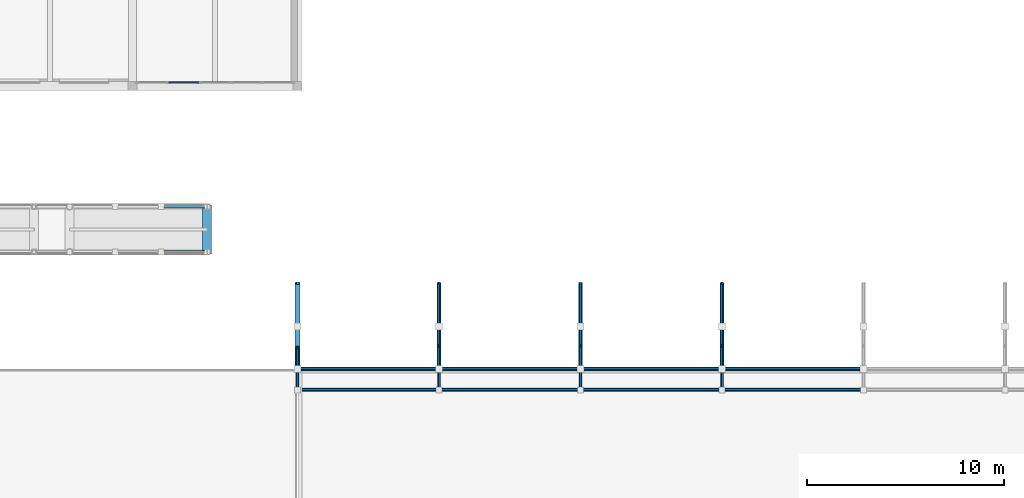
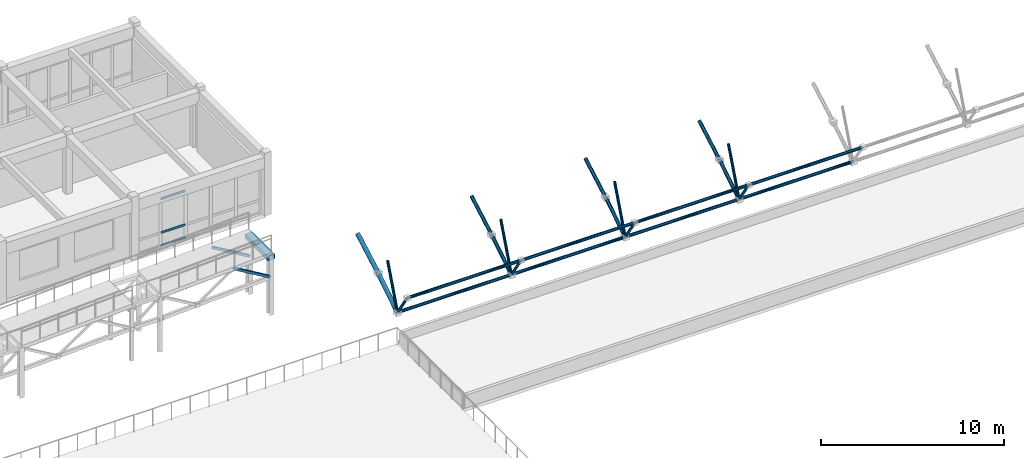
# One storey, part 53 of 90: 29 members, 1 beam, 1 element without a shape of its own.
"""IFC4 building model written with IfcOpenShell, lengths in metres."""

from ifc_helpers import new_model, si_unit, direction, frame, origin, origin_2d, place, context, subcontext, project, spatial, rectangle, hollow_rectangle, hollow_circle, extrude, material, material_profile, profile_set, type_object, element, aggregate, save


model = new_model("IFC4")

# Units and contexts
model_context = context("Model", 3, precision=1e-05, world=origin(), true_north=direction((0.0, 1.0)))
body_context = subcontext(model_context, "Body", "Model", "MODEL_VIEW")
ifc_project = project(units=[si_unit("LENGTHUNIT", "METRE"), si_unit("AREAUNIT", "SQUARE_METRE"), si_unit("VOLUMEUNIT", "CUBIC_METRE"), si_unit("PLANEANGLEUNIT", "RADIAN"), si_unit("MASSUNIT", "GRAM", prefix="KILO")], contexts=[model_context])

# Site, building, storey
site_placement = place(None, origin())
site = spatial("IfcSite", under=ifc_project, at=site_placement, CompositionType="ELEMENT")
building_placement = place(site_placement, origin())
building = spatial("IfcBuilding", under=site, at=building_placement, Name="Malvenik Polytechnic", CompositionType="ELEMENT")
storey_placement = place(building_placement, frame((0.0, 0.0, 9.300048828125)))
storey = spatial("IfcBuildingStorey", under=building, at=storey_placement, Name="L02", CompositionType="ELEMENT", Elevation=9.300048828125)

# Curtain wall, members
ifc_material_1 = material(Name="Anodised aluminium 6060-T6", Category="aluminium")
curtain_wall_type = type_object("IfcCurtainWallType", Name="ARC-CW-CW-03", PredefinedType="NOTDEFINED", material=ifc_material_1)
curtain_wall_placement = place(storey_placement, origin())
curtain_wall = element("IfcCurtainWall", 1, at=curtain_wall_placement, inside=storey, type_object=curtain_wall_type, Name="Unitised Curtain Wall CW-03 L02 #144", PredefinedType="NOTDEFINED")
ifc_material_2 = material(Name="Anodised aluminium", Category="aluminium")
ifc_material_profile_1 = material_profile(ifc_material_2, rectangle(XDim=0.06005859375, YDim=0.139892578125, at=origin_2d()), Name="ALU TRANSOM 60x140")
ifc_profile_set_1 = profile_set([ifc_material_profile_1], Name="Anodised aluminium")
member_type_1 = type_object("IfcMemberType", Name="ARC-CWT-140", PredefinedType="USERDEFINED", material=ifc_profile_set_1)
member_1_placement = place(storey_placement, frame((129.37451171875, 50.570068359375, 0.030029296875), z_axis=(-1.0, 0.0, 0.0), x_axis=(0.0, -1.0, 0.0)))
member_1 = element("IfcMember", 2, at=member_1_placement, type_object=member_type_1, Name="CW-03 transom 4.1", ObjectType="TRANSOM", PredefinedType="USERDEFINED", context=body_context, shape_type="SweptSolid", body=[
    extrude(rectangle(XDim=0.06005859375, YDim=0.139892578125, at=origin_2d()), origin(), (0.0, 0.0, 1.0), 1.53076171875),
])
member_2_placement = place(storey_placement, frame((129.37451171875, 50.570068359375, 0.89990234375), z_axis=(-1.0, 0.0, 0.0), x_axis=(0.0, -1.0, 0.0)))
member_2 = element("IfcMember", 3, at=member_2_placement, type_object=member_type_1, Name="CW-03 transom 4.2", ObjectType="TRANSOM", PredefinedType="USERDEFINED", context=body_context, shape_type="SweptSolid", body=[
    extrude(rectangle(XDim=0.06005859375, YDim=0.139892578125, at=origin_2d()), origin(), (0.0, 0.0, 1.0), 1.53076171875),
])
member_3_placement = place(storey_placement, frame((129.37451171875, 50.570068359375, 3.14990234375), z_axis=(-1.0, 0.0, 0.0), x_axis=(0.0, -1.0, 0.0)))
member_3 = element("IfcMember", 4, at=member_3_placement, type_object=member_type_1, Name="CW-03 transom 4.3", ObjectType="TRANSOM", PredefinedType="USERDEFINED", context=body_context, shape_type="SweptSolid", body=[
    extrude(rectangle(XDim=0.06005859375, YDim=0.139892578125, at=origin_2d()), origin(), (0.0, 0.0, 1.0), 1.53076171875),
])
aggregate(curtain_wall, [member_1, member_2, member_3])

# Beam
ifc_material_3 = material(Name="Steel S355J2H", Category="steel")
ifc_material_profile_2 = material_profile(ifc_material_3, hollow_rectangle(XDim=0.449951171875, YDim=0.300048828125, WallThickness=0.012451171875, at=origin_2d()), Name="RHS 450x300x12.5")
ifc_profile_set_2 = profile_set([ifc_material_profile_2], Name="Steel S355J2H")
beam_type = type_object("IfcBeamType", Name="STR-BM-SB-07", PredefinedType="BEAM", material=ifc_profile_set_2)
beam_placement = place(storey_placement, frame((129.800048828125, 41.85009765625, 3.822021484375), z_axis=(0.0, 1.0, 0.0), x_axis=(-1.0, 0.0, 0.0)))
element("IfcBeam", 5, at=beam_placement, inside=storey, type_object=beam_type, Name="Ramp Joint Transom RB-01 #23", PredefinedType="BEAM", context=body_context, shape_type="SweptSolid", body=[
    extrude(hollow_rectangle(XDim=0.449951171875, YDim=0.300048828125, WallThickness=0.012451171875, at=origin_2d()), origin(), (0.0, 0.0, 1.0), 2.5),
])

# Members
ifc_material_profile_3 = material_profile(ifc_material_3, hollow_circle(Radius=0.136474609375, WallThickness=0.010009765625, at=origin_2d()), Name="CHS 273.0x10.0")
ifc_profile_set_3 = profile_set([ifc_material_profile_3], Name="Steel S355J2H")
member_type_2 = type_object("IfcMemberType", Name="STR-MEM-SFB-01", PredefinedType="CHORD", material=ifc_profile_set_3)
for number, where, z_axis, x_axis, name in (
    (6, (134.39990234375, 36.00341796875, 2.10205078125), (0.0, 0.845870822629, 0.533387805845), (-1.0, 0.0, 0.0), "Space-Frame Tube SFB-01 STR-SF-BC-0001"),
    (7, (134.39990234375, 38.15478515625, 3.458251953125), (0.0, 0.870991146737, 0.491298709856), (-1.0, 0.0, 0.0), "Space-Frame Tube SFB-01 STR-SF-BC-0003"),
):
    element("IfcMember", number, at=place(storey_placement, frame(where, z_axis=z_axis, x_axis=x_axis)), inside=storey, type_object=member_type_2, Name=name, PredefinedType="CHORD", context=body_context, shape_type="SweptSolid", body=[
        extrude(hollow_circle(Radius=0.136474609375, WallThickness=0.010009765625, at=origin_2d()), origin(), (0.0, 0.0, 1.0), 2.535400390625),
    ])
ifc_material_profile_4 = material_profile(ifc_material_3, hollow_circle(Radius=0.109619140625, WallThickness=0.010009765625, at=origin_2d()), Name="CHS 219.1x10.0")
ifc_profile_set_4 = profile_set([ifc_material_profile_4], Name="Steel S355J2H")
member_type_3 = type_object("IfcMemberType", Name="STR-MEM-SFB-02", PredefinedType="CHORD", material=ifc_profile_set_4)
for number, where, z_axis, x_axis, name in (
    (8, (141.60009765625, 36.00341796875, 2.10205078125), (0.0, 0.845870822629, 0.533387805845), (-1.0, 0.0, 0.0), "Space-Frame Tube SFB-02 STR-SF-BC-0098"),
    (9, (141.60009765625, 38.15478515625, 3.458251953125), (0.0, 0.870991146737, 0.491298709856), (-1.0, 0.0, 0.0), "Space-Frame Tube SFB-02 STR-SF-BC-0100"),
    (10, (156.0, 36.00341796875, 2.10205078125), (0.0, 0.845870822629, 0.533387805845), (-1.0, 0.0, 0.0), "Space-Frame Tube SFB-02 STR-SF-BC-0292"),
    (11, (156.0, 38.15478515625, 3.458251953125), (0.0, 0.870991146737, 0.491298709856), (-1.0, 0.0, 0.0), "Space-Frame Tube SFB-02 STR-SF-BC-0294"),
):
    element("IfcMember", number, at=place(storey_placement, frame(where, z_axis=z_axis, x_axis=x_axis)), inside=storey, type_object=member_type_3, Name=name, PredefinedType="CHORD", context=body_context, shape_type="SweptSolid", body=[
        extrude(hollow_circle(Radius=0.109619140625, WallThickness=0.010009765625, at=origin_2d()), origin(), (0.0, 0.0, 1.0), 2.535400390625),
    ])
ifc_material_profile_5 = material_profile(ifc_material_3, hollow_circle(Radius=0.109619140625, WallThickness=0.008056640625, at=origin_2d()), Name="CHS 219.1x8.0")
ifc_profile_set_5 = profile_set([ifc_material_profile_5], Name="Steel S355J2H")
member_type_4 = type_object("IfcMemberType", Name="STR-MEM-SFB-03", PredefinedType="CHORD", material=ifc_profile_set_5)
for number, where, z_axis, x_axis, name in (
    (12, (148.800048828125, 36.00341796875, 2.10205078125), (0.0, 0.845870822629, 0.533387805845), (-1.0, 0.0, 0.0), "Space-Frame Tube SFB-03 STR-SF-BC-0195"),
    (13, (148.800048828125, 38.15478515625, 3.458251953125), (0.0, 0.870991146737, 0.491298709856), (-1.0, 0.0, 0.0), "Space-Frame Tube SFB-03 STR-SF-BC-0197"),
):
    element("IfcMember", number, at=place(storey_placement, frame(where, z_axis=z_axis, x_axis=x_axis)), inside=storey, type_object=member_type_4, Name=name, PredefinedType="CHORD", context=body_context, shape_type="SweptSolid", body=[
        extrude(hollow_circle(Radius=0.109619140625, WallThickness=0.008056640625, at=origin_2d()), origin(), (0.0, 0.0, 1.0), 2.535400390625),
    ])
ifc_material_profile_6 = material_profile(ifc_material_3, hollow_circle(Radius=0.084228515625, WallThickness=0.008056640625, at=origin_2d()), Name="CHS 168.3x8.0")
ifc_profile_set_6 = profile_set([ifc_material_profile_6], Name="Steel S355J2H")
member_type_5 = type_object("IfcMemberType", Name="STR-MEM-SFD-01", PredefinedType="BRACE", material=ifc_profile_set_6)
for number, where, z_axis, x_axis, name in (
    (14, (134.39990234375, 35.997802734375, 2.103271484375), (0.0, -0.553847636022, 0.832618037321), (1.0, 0.0, 0.0), "Space-Frame Tube SFD-01 STR-SF-WB-0049"),
    (15, (141.60009765625, 35.997802734375, 2.103271484375), (0.0, -0.553847636022, 0.832618037321), (1.0, 0.0, 0.0), "Space-Frame Tube SFD-01 STR-SF-WB-0146"),
    (16, (148.800048828125, 35.997802734375, 2.103271484375), (0.0, -0.553847636022, 0.832618037321), (1.0, 0.0, 0.0), "Space-Frame Tube SFD-01 STR-SF-WB-0243"),
    (17, (156.0, 35.997802734375, 2.103271484375), (0.0, -0.553847636022, 0.832618037321), (1.0, 0.0, 0.0), "Space-Frame Tube SFD-01 STR-SF-WB-0340"),
):
    element("IfcMember", number, at=place(storey_placement, frame(where, z_axis=z_axis, x_axis=x_axis)), inside=storey, type_object=member_type_5, Name=name, PredefinedType="BRACE", context=body_context, shape_type="SweptSolid", body=[
        extrude(hollow_circle(Radius=0.084228515625, WallThickness=0.008056640625, at=origin_2d()), origin(), (0.0, 0.0, 1.0), 1.9169921875),
    ])
ifc_material_profile_7 = material_profile(ifc_material_3, hollow_circle(Radius=0.084228515625, WallThickness=0.00634765625, at=origin_2d()), Name="CHS 168.3x6.3")
ifc_profile_set_7 = profile_set([ifc_material_profile_7], Name="Steel S355J2H")
member_type_6 = type_object("IfcMemberType", Name="STR-MEM-SFD-02", PredefinedType="BRACE", material=ifc_profile_set_7)
member_4_placement = place(storey_placement, frame((134.39990234375, 36.079345703125, 2.30517578125), z_axis=(0.0, 0.361021137141, 0.932557632824), x_axis=(-1.0, 0.0, 0.0)))
element("IfcMember", 18, at=member_4_placement, inside=storey, type_object=member_type_6, Name="Space-Frame Tube SFD-02 STR-SF-AD-0074", PredefinedType="BRACE", context=body_context, shape_type="SweptSolid", body=[
    extrude(hollow_circle(Radius=0.084228515625, WallThickness=0.00634765625, at=origin_2d()), origin(), (0.0, 0.0, 1.0), 2.786865234375),
])
for number, where, z_axis, x_axis, name in (
    (19, (141.60009765625, 36.00146484375, 2.103759765625), (0.0, 0.361011124202, 0.932561509072), (-1.0, 0.0, 0.0), "Space-Frame Tube SFD-02 STR-SF-AD-0171"),
    (20, (148.800048828125, 36.00146484375, 2.103759765625), (0.0, 0.361011124202, 0.932561509072), (-1.0, 0.0, 0.0), "Space-Frame Tube SFD-02 STR-SF-AD-0268"),
    (21, (156.0, 36.00146484375, 2.103759765625), (0.0, 0.361011124202, 0.932561509072), (-1.0, 0.0, 0.0), "Space-Frame Tube SFD-02 STR-SF-AD-0365"),
):
    element("IfcMember", number, at=place(storey_placement, frame(where, z_axis=z_axis, x_axis=x_axis)), inside=storey, type_object=member_type_6, Name=name, PredefinedType="BRACE", context=body_context, shape_type="SweptSolid", body=[
        extrude(hollow_circle(Radius=0.084228515625, WallThickness=0.00634765625, at=origin_2d()), origin(), (0.0, 0.0, 1.0), 3.218994140625),
    ])
ifc_material_profile_8 = material_profile(ifc_material_3, hollow_circle(Radius=0.096923828125, WallThickness=0.008056640625, at=origin_2d()), Name="CHS 193.7x8.0")
ifc_profile_set_8 = profile_set([ifc_material_profile_8], Name="Steel S355J2H")
member_type_7 = type_object("IfcMemberType", Name="STR-MEM-SFL-01", PredefinedType="CHORD", material=ifc_profile_set_8)
for number, where, z_axis, x_axis, name in (
    (22, (134.404052734375, 36.0, 2.099853515625), (1.0, 0.0, 0.0), (0.0, 1.0, 0.0), "Space-Frame Tube SFL-01 STR-SF-LB-0777"),
    (23, (134.404052734375, 34.933837890625, 3.70263671875), (1.0, 0.0, 0.0), (0.0, 1.0, 0.0), "Space-Frame Tube SFL-01 STR-SF-LT-0778"),
    (24, (141.60400390625, 36.0, 2.099853515625), (1.0, 0.0, 0.0), (0.0, 1.0, 0.0), "Space-Frame Tube SFL-01 STR-SF-LB-0819"),
    (25, (141.60400390625, 34.933837890625, 3.70263671875), (1.0, 0.0, 0.0), (0.0, 1.0, 0.0), "Space-Frame Tube SFL-01 STR-SF-LT-0820"),
):
    element("IfcMember", number, at=place(storey_placement, frame(where, z_axis=z_axis, x_axis=x_axis)), inside=storey, type_object=member_type_7, Name=name, PredefinedType="CHORD", context=body_context, shape_type="SweptSolid", body=[
        extrude(hollow_circle(Radius=0.096923828125, WallThickness=0.008056640625, at=origin_2d()), origin(), (0.0, 0.0, 1.0), 7.19189453125),
    ])
for number, where, z_axis, x_axis, name in (
    (26, (148.803955078125, 36.0, 2.099853515625), (1.0, 0.0, 0.0), (0.0, 1.0, 0.0), "Space-Frame Tube SFL-01 STR-SF-LB-0861"),
    (27, (148.803955078125, 34.933837890625, 3.70263671875), (1.0, 0.0, 0.0), (0.0, 1.0, 0.0), "Space-Frame Tube SFL-01 STR-SF-LT-0862"),
    (28, (156.00390625, 36.0, 2.099853515625), (1.0, 0.0, 0.0), (0.0, 1.0, 0.0), "Space-Frame Tube SFL-01 STR-SF-LB-0903"),
    (29, (156.00390625, 34.933837890625, 3.70263671875), (1.0, 0.0, 0.0), (0.0, 1.0, 0.0), "Space-Frame Tube SFL-01 STR-SF-LT-0904"),
):
    element("IfcMember", number, at=place(storey_placement, frame(where, z_axis=z_axis, x_axis=x_axis)), inside=storey, type_object=member_type_7, Name=name, PredefinedType="CHORD", context=body_context, shape_type="SweptSolid", body=[
        extrude(hollow_circle(Radius=0.096923828125, WallThickness=0.008056640625, at=origin_2d()), origin(), (0.0, 0.0, 1.0), 7.192138671875),
    ])
ifc_material_profile_9 = material_profile(ifc_material_3, hollow_rectangle(XDim=0.14990234375, YDim=0.14990234375, WallThickness=0.008056640625, at=origin_2d()), Name="SHS 150x150x8.0")
ifc_profile_set_9 = profile_set([ifc_material_profile_9], Name="Steel S355J2H")
member_type_8 = type_object("IfcMemberType", Name="STR-MEM-TRD-01", PredefinedType="BRACE", material=ifc_profile_set_9)
for number, where, z_axis, x_axis, name in (
    (30, (127.47021484375, 41.949951171875, 3.861328125), (0.860165406805, 0.0, -0.51001516932), (0.0, 1.0, 0.0), "Space-Frame Tube TRD-01 STR-TRD-03-RB-01-1-22"),
    (31, (127.47021484375, 44.25, 3.861328125), (0.860165406805, 0.0, -0.51001516932), (0.0, 1.0, 0.0), "Space-Frame Tube TRD-01 STR-TRD-03-RB-01-2-22"),
):
    element("IfcMember", number, at=place(storey_placement, frame(where, z_axis=z_axis, x_axis=x_axis)), inside=storey, type_object=member_type_8, Name=name, PredefinedType="BRACE", context=body_context, shape_type="SweptSolid", body=[
        extrude(hollow_rectangle(XDim=0.14990234375, YDim=0.14990234375, WallThickness=0.008056640625, at=origin_2d()), origin(), (0.0, 0.0, 1.0), 2.70458984375),
    ])

save(model, "model.ifc")
